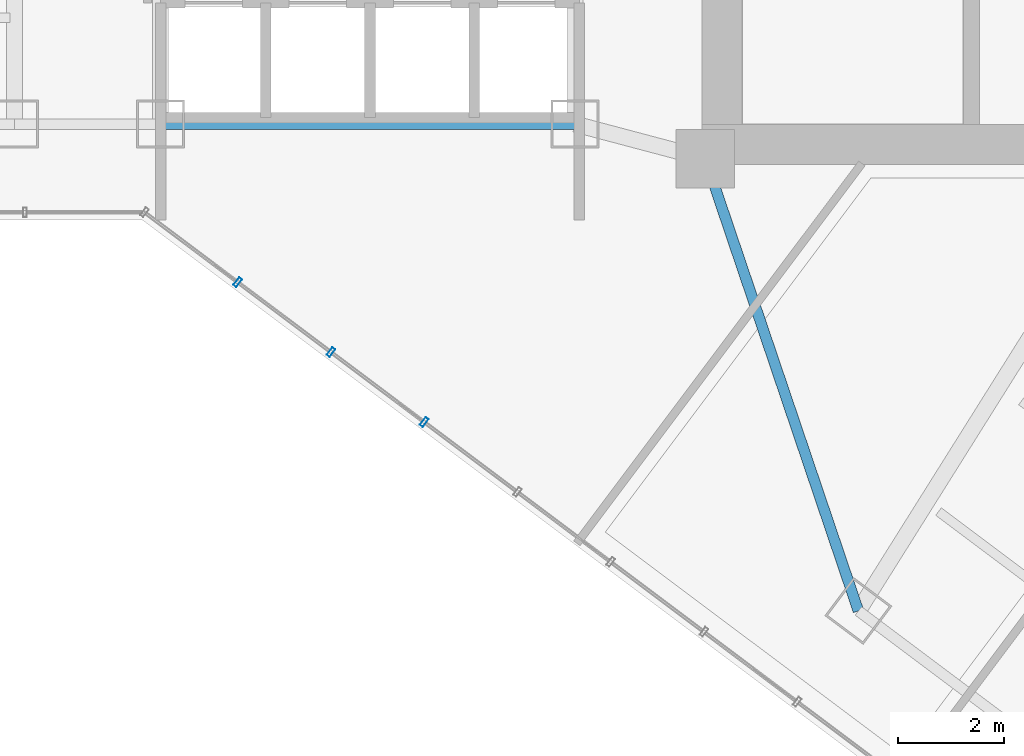
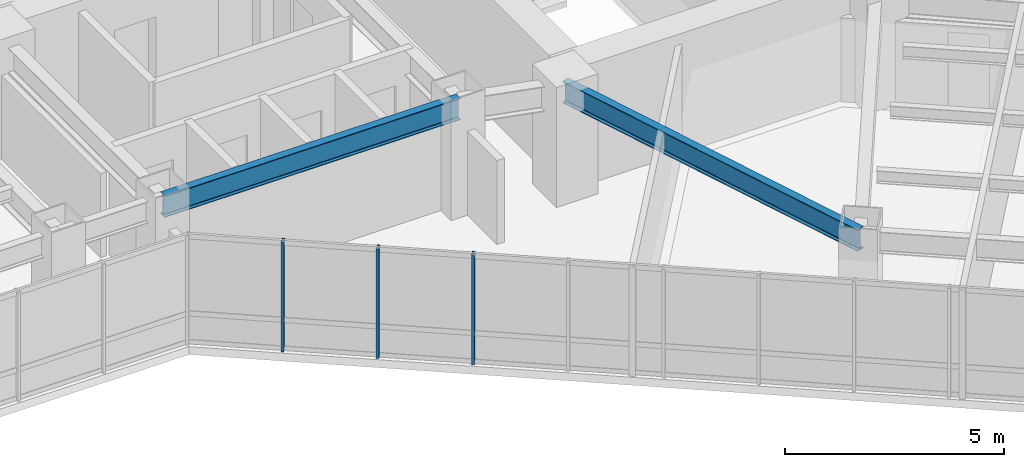
# One storey, part 9 of 36: 3 members, 2 beams, 1 element without a shape of its own.
"""IFC4 building model written with IfcOpenShell, lengths in metres."""

from ifc_helpers import new_model, si_unit, direction, frame, origin, origin_2d, place, context, subcontext, project, spatial, hollow_rectangle, i_section, extrude, material, layer, layer_set, material_profile, profile_set, type_object, element, aggregate, save


model = new_model("IFC4")

# Units and contexts
model_context = context("Model", 3, precision=1e-05, world=origin(), true_north=direction((0.0, 1.0)))
body_context = subcontext(model_context, "Body", "Model", "MODEL_VIEW")
ifc_project = project(units=[si_unit("LENGTHUNIT", "METRE"), si_unit("AREAUNIT", "SQUARE_METRE"), si_unit("VOLUMEUNIT", "CUBIC_METRE"), si_unit("PLANEANGLEUNIT", "RADIAN"), si_unit("MASSUNIT", "GRAM", prefix="KILO")], contexts=[model_context])

# Site, building, storey
site_placement = place(None, origin())
site = spatial("IfcSite", under=ifc_project, at=site_placement, CompositionType="ELEMENT")
building_placement = place(site_placement, origin())
building = spatial("IfcBuilding", under=site, at=building_placement, Name="Hatsunagi Terrace Concourse", CompositionType="ELEMENT")
storey_placement = place(building_placement, frame((0.0, 0.0, 88.0)))
storey = spatial("IfcBuildingStorey", under=building, at=storey_placement, Name="L23", CompositionType="ELEMENT", Elevation=88.0)

# Curtain wall, members
ifc_material_1 = material(Name="Anodised Aluminium Alloy 6063-T5", Category="aluminium")
ifc_layer = layer(ifc_material_1, 0.199951171875)
ifc_layer_set = layer_set([ifc_layer], Name="HotelFacade_CW02")
curtain_wall_type = type_object("IfcCurtainWallType", Name="HotelFacade_CW02", PredefinedType="NOTDEFINED", material=ifc_layer_set)
curtain_wall_placement = place(storey_placement, origin())
curtain_wall = element("IfcCurtainWall", 1, at=curtain_wall_placement, inside=storey, type_object=curtain_wall_type, Name="Unitised Curtain Wall CW-02 CW-L23-05", PredefinedType="NOTDEFINED")
ifc_material_2 = material(Name="Anodised Aluminium Alloy 6063-T5", Category="aluminium")
ifc_material_profile_1 = material_profile(ifc_material_2, hollow_rectangle(XDim=0.070068359375, YDim=0.179931640625, WallThickness=0.00390625, at=origin_2d()), Name="ALU-MUL-180x70x4")
ifc_profile_set_1 = profile_set([ifc_material_profile_1], Name="Anodised Aluminium Alloy 6063-T5")
member_type = type_object("IfcMemberType", Name="CurtainWallMullion_180x70", PredefinedType="MULLION", material=ifc_profile_set_1)
member_1_placement = place(storey_placement, frame((30.510009765625, 19.593017578125, 0.0), z_axis=(0.0, 0.0, 1.0), x_axis=(-0.800003116929, 0.599995844072, 0.0)))
member_1 = element("IfcMember", 2, at=member_1_placement, type_object=member_type, Name="Curtain Wall Mullion MUL-02", PredefinedType="MULLION", context=body_context, shape_type="SweptSolid", body=[
    extrude(hollow_rectangle(XDim=0.070068359375, YDim=0.179931640625, WallThickness=0.00390625, at=origin_2d()), origin(), (0.0, 0.0, 1.0), 3.050048828125),
])
member_2_placement = place(storey_placement, frame((28.756103515625, 20.907958984375, 0.0), z_axis=(0.0, 0.0, 1.0), x_axis=(-0.800003116929, 0.599995844072, 0.0)))
member_2 = element("IfcMember", 3, at=member_2_placement, type_object=member_type, Name="Curtain Wall Mullion MUL-02", PredefinedType="MULLION", context=body_context, shape_type="SweptSolid", body=[
    extrude(hollow_rectangle(XDim=0.070068359375, YDim=0.179931640625, WallThickness=0.00390625, at=origin_2d()), origin(), (0.0, 0.0, 1.0), 3.050048828125),
])
member_3_placement = place(storey_placement, frame((27.0009765625, 22.22412109375, 0.0), z_axis=(0.0, 0.0, 1.0), x_axis=(-0.800003116929, 0.599995844072, 0.0)))
member_3 = element("IfcMember", 4, at=member_3_placement, type_object=member_type, Name="Curtain Wall Mullion MUL-02", PredefinedType="MULLION", context=body_context, shape_type="SweptSolid", body=[
    extrude(hollow_rectangle(XDim=0.070068359375, YDim=0.179931640625, WallThickness=0.00390625, at=origin_2d()), origin(), (0.0, 0.0, 1.0), 3.050048828125),
])
aggregate(curtain_wall, [member_1, member_2, member_3])

# Beams
ifc_material_3 = material(Name="Steel SN490B", Category="steel")
ifc_material_profile_2 = material_profile(ifc_material_3, i_section(OverallWidth=0.199951171875, OverallDepth=0.60009765625, WebThickness=0.010986328125, FlangeThickness=0.01708984375, FilletRadius=0.01806640625, at=origin_2d()), Name="H-600x200x11x17")
ifc_profile_set_2 = profile_set([ifc_material_profile_2], Name="Steel SN490B")
beam_type = type_object("IfcBeamType", Name="PerimeterSpandrel_H_600x200", PredefinedType="SPANDREL", material=ifc_profile_set_2)
beam_1_placement = place(storey_placement, frame((25.550048828125, 25.199951171875, 2.75), z_axis=(1.0, 0.0, 0.0), x_axis=(0.0, 1.0, 0.0)))
element("IfcBeam", 5, at=beam_1_placement, inside=storey, type_object=beam_type, Name="Beam SP-01 BM-L23-WS-25", PredefinedType="SPANDREL", context=body_context, shape_type="SweptSolid", body=[
    extrude(i_section(OverallWidth=0.199951171875, OverallDepth=0.60009765625, WebThickness=0.010986328125, FlangeThickness=0.01708984375, FilletRadius=0.01806640625, at=origin_2d()), origin(), (0.0, 0.0, 1.0), 7.800048828125),
])
beam_2_placement = place(storey_placement, frame((35.800048828125, 24.550048828125, 2.75), z_axis=(0.320553412271, -0.947230441805, 0.0), x_axis=(0.947230441805, 0.320553412271, 0.0)))
element("IfcBeam", 6, at=beam_2_placement, inside=storey, type_object=beam_type, Name="Beam SP-01 BM-L23-SE-SW0", PredefinedType="SPANDREL", context=body_context, shape_type="SweptSolid", body=[
    extrude(i_section(OverallWidth=0.199951171875, OverallDepth=0.60009765625, WebThickness=0.010986328125, FlangeThickness=0.01708984375, FilletRadius=0.01806640625, at=origin_2d()), origin(), (0.0, 0.0, 1.0), 8.984130859375),
])

save(model, "model.ifc")
